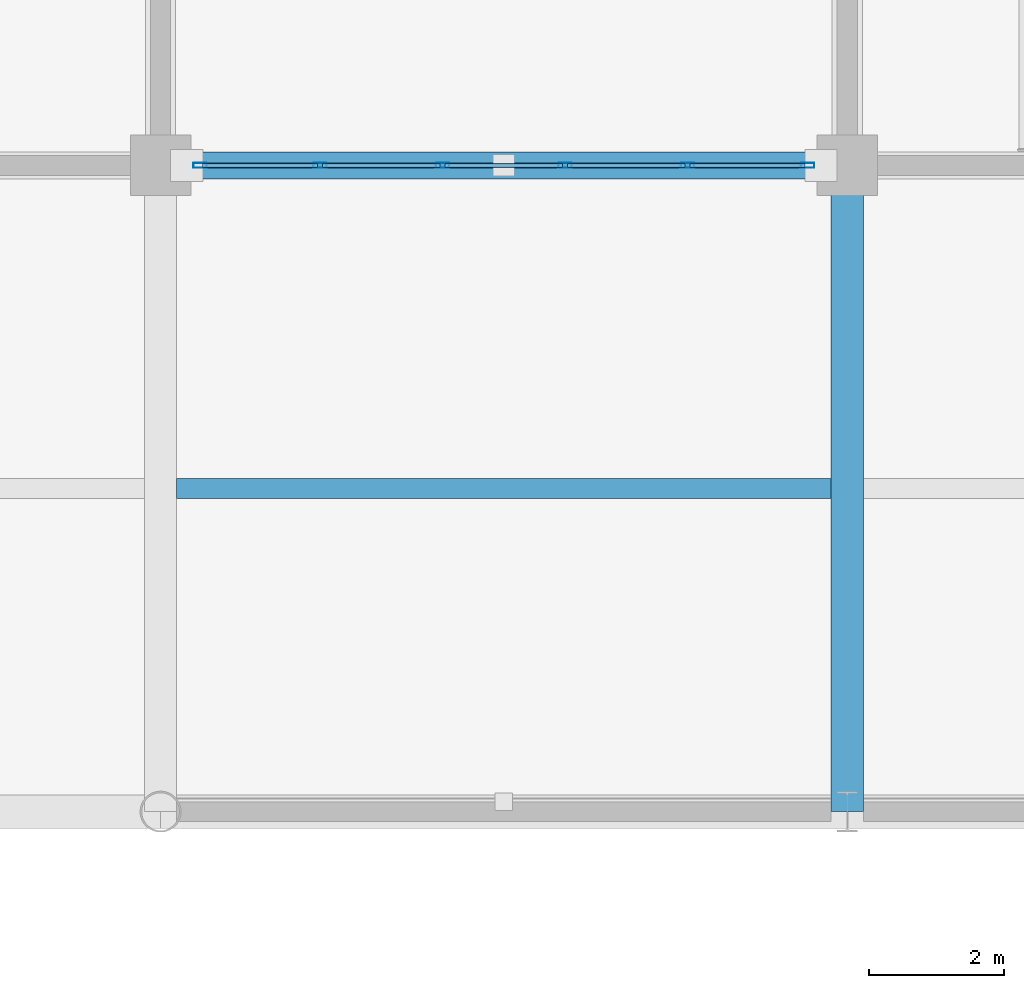
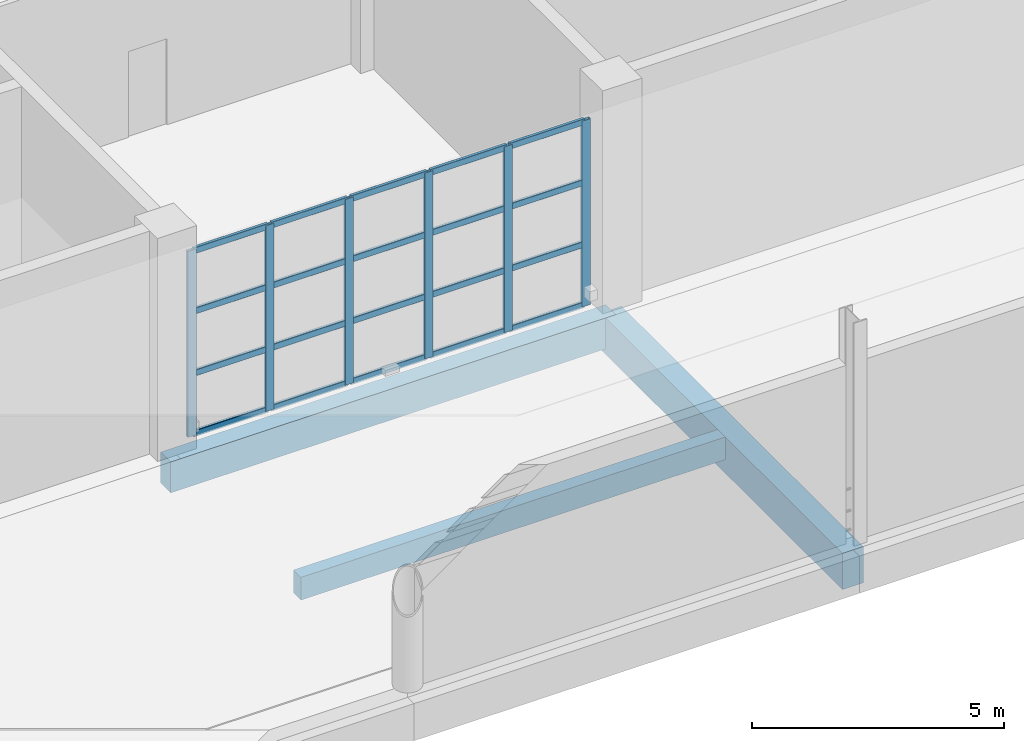
# One storey, part 34 of 175: 26 members, 3 beams, 1 element without a shape of its own.
"""IFC4 building model written with IfcOpenShell, lengths in metres."""

from ifc_helpers import new_model, si_unit, direction, frame, origin, origin_2d, place, context, subcontext, project, spatial, rectangle, hollow_rectangle, extrude, material, material_profile, profile_set, type_object, element, aggregate, save


model = new_model("IFC4")

# Units and contexts
model_context = context("Model", 3, precision=1e-05, world=origin(), true_north=direction((0.0, 1.0)))
body_context = subcontext(model_context, "Body", "Model", "MODEL_VIEW")
ifc_project = project(units=[si_unit("LENGTHUNIT", "METRE"), si_unit("AREAUNIT", "SQUARE_METRE"), si_unit("VOLUMEUNIT", "CUBIC_METRE"), si_unit("PLANEANGLEUNIT", "RADIAN"), si_unit("MASSUNIT", "GRAM", prefix="KILO")], contexts=[model_context])

# Site, building, storey
site_placement = place(None, origin())
site = spatial("IfcSite", under=ifc_project, at=site_placement, CompositionType="ELEMENT")
building_placement = place(site_placement, origin())
building = spatial("IfcBuilding", under=site, at=building_placement, Name="Brelvane Convention Centre", CompositionType="ELEMENT")
storey_placement = place(building_placement, frame((0.0, 0.0, 5.39990234375)))
storey = spatial("IfcBuildingStorey", under=building, at=storey_placement, Name="L01", CompositionType="ELEMENT", Elevation=5.39990234375)

# Curtain wall, members
ifc_material_1 = material(Name="Anodised Aluminium Alloy 6063-T6", Category="aluminium")
curtain_wall_type = type_object("IfcCurtainWallType", Name="Curtain Wall CW-COURT", PredefinedType="USERDEFINED", material=ifc_material_1)
curtain_wall_placement = place(storey_placement, origin())
curtain_wall = element("IfcCurtainWall", 1, at=curtain_wall_placement, inside=storey, type_object=curtain_wall_type, Name="Curtain Wall CW-COURT L01-V4S-03", ObjectType="UNITISED", PredefinedType="USERDEFINED")
ifc_material_2 = material(Name="Anodised Aluminium Alloy 6063-T6", Category="aluminium")
ifc_material_profile_1 = material_profile(ifc_material_2, hollow_rectangle(XDim=0.074951171875, YDim=0.199951171875, WallThickness=0.0048828125, InnerFilletRadius=0.0048828125, OuterFilletRadius=0.010009765625, at=origin_2d()), Name="ALU-M 200x75x5.0")
ifc_profile_set_1 = profile_set([ifc_material_profile_1], Name="Anodised Aluminium Alloy 6063-T6")
member_type_1 = type_object("IfcMemberType", Name="Curtain Mullion CW-M2", PredefinedType="MULLION", material=ifc_profile_set_1)
member_1_placement = place(storey_placement, frame((20.987548828125, 109.199951171875, 0.0), z_axis=(0.0, 0.0, 1.0), x_axis=(0.0, 1.0, 0.0)))
member_1 = element("IfcMember", 2, at=member_1_placement, type_object=member_type_1, Name="CW-COURT mullion 1", PredefinedType="MULLION", context=body_context, shape_type="SweptSolid", body=[
    extrude(hollow_rectangle(XDim=0.074951171875, YDim=0.199951171875, WallThickness=0.0048828125, InnerFilletRadius=0.0048828125, OuterFilletRadius=0.010009765625, at=origin_2d()), origin(), (0.0, 0.0, 1.0), 4.5),
])
member_2_placement = place(storey_placement, frame((22.77001953125, 109.199951171875, 0.0), z_axis=(0.0, 0.0, 1.0), x_axis=(0.0, 1.0, 0.0)))
member_2 = element("IfcMember", 3, at=member_2_placement, type_object=member_type_1, Name="CW-COURT mullion 2", PredefinedType="MULLION", context=body_context, shape_type="SweptSolid", body=[
    extrude(hollow_rectangle(XDim=0.074951171875, YDim=0.199951171875, WallThickness=0.0048828125, InnerFilletRadius=0.0048828125, OuterFilletRadius=0.010009765625, at=origin_2d()), origin(), (0.0, 0.0, 1.0), 4.5),
])
member_3_placement = place(storey_placement, frame((24.590087890625, 109.199951171875, 0.0), z_axis=(0.0, 0.0, 1.0), x_axis=(0.0, 1.0, 0.0)))
member_3 = element("IfcMember", 4, at=member_3_placement, type_object=member_type_1, Name="CW-COURT mullion 3", PredefinedType="MULLION", context=body_context, shape_type="SweptSolid", body=[
    extrude(hollow_rectangle(XDim=0.074951171875, YDim=0.199951171875, WallThickness=0.0048828125, InnerFilletRadius=0.0048828125, OuterFilletRadius=0.010009765625, at=origin_2d()), origin(), (0.0, 0.0, 1.0), 4.5),
])
member_4_placement = place(storey_placement, frame((26.409912109375, 109.199951171875, 0.0), z_axis=(0.0, 0.0, 1.0), x_axis=(0.0, 1.0, 0.0)))
member_4 = element("IfcMember", 5, at=member_4_placement, type_object=member_type_1, Name="CW-COURT mullion 4", PredefinedType="MULLION", context=body_context, shape_type="SweptSolid", body=[
    extrude(hollow_rectangle(XDim=0.074951171875, YDim=0.199951171875, WallThickness=0.0048828125, InnerFilletRadius=0.0048828125, OuterFilletRadius=0.010009765625, at=origin_2d()), origin(), (0.0, 0.0, 1.0), 4.5),
])
member_5_placement = place(storey_placement, frame((28.22998046875, 109.199951171875, 0.0), z_axis=(0.0, 0.0, 1.0), x_axis=(0.0, 1.0, 0.0)))
member_5 = element("IfcMember", 6, at=member_5_placement, type_object=member_type_1, Name="CW-COURT mullion 5", PredefinedType="MULLION", context=body_context, shape_type="SweptSolid", body=[
    extrude(hollow_rectangle(XDim=0.074951171875, YDim=0.199951171875, WallThickness=0.0048828125, InnerFilletRadius=0.0048828125, OuterFilletRadius=0.010009765625, at=origin_2d()), origin(), (0.0, 0.0, 1.0), 4.5),
])
member_6_placement = place(storey_placement, frame((30.012451171875, 109.199951171875, 0.0), z_axis=(0.0, 0.0, 1.0), x_axis=(0.0, 1.0, 0.0)))
member_6 = element("IfcMember", 7, at=member_6_placement, type_object=member_type_1, Name="CW-COURT mullion 6", PredefinedType="MULLION", context=body_context, shape_type="SweptSolid", body=[
    extrude(hollow_rectangle(XDim=0.074951171875, YDim=0.199951171875, WallThickness=0.0048828125, InnerFilletRadius=0.0048828125, OuterFilletRadius=0.010009765625, at=origin_2d()), origin(), (0.0, 0.0, 1.0), 4.5),
])
ifc_material_3 = material(Name="Anodised Aluminium Alloy 6063-T6", Category="aluminium")
ifc_material_profile_2 = material_profile(ifc_material_3, hollow_rectangle(XDim=0.070068359375, YDim=0.14990234375, WallThickness=0.00439453125, InnerFilletRadius=0.00439453125, OuterFilletRadius=0.009033203125, at=origin_2d()), Name="ALU-T 150x70x4.5")
ifc_profile_set_2 = profile_set([ifc_material_profile_2], Name="Anodised Aluminium Alloy 6063-T6")
member_type_2 = type_object("IfcMemberType", Name="Curtain Transom CW-T2", PredefinedType="USERDEFINED", material=ifc_profile_set_2)
member_7_placement = place(storey_placement, frame((21.02490234375, 109.199951171875, 0.03515625), z_axis=(1.0, 0.0, 0.0), x_axis=(0.0, 1.0, 0.0)))
member_7 = element("IfcMember", 8, at=member_7_placement, type_object=member_type_2, Name="CW-COURT transom 1.1", ObjectType="TRANSOM", PredefinedType="USERDEFINED", context=body_context, shape_type="SweptSolid", body=[
    extrude(hollow_rectangle(XDim=0.070068359375, YDim=0.14990234375, WallThickness=0.00439453125, InnerFilletRadius=0.00439453125, OuterFilletRadius=0.009033203125, at=origin_2d()), origin(), (0.0, 0.0, 1.0), 1.70751953125),
])
member_8_placement = place(storey_placement, frame((21.02490234375, 109.199951171875, 1.5), z_axis=(1.0, 0.0, 0.0), x_axis=(0.0, 1.0, 0.0)))
member_8 = element("IfcMember", 9, at=member_8_placement, type_object=member_type_2, Name="CW-COURT transom 1.2", ObjectType="TRANSOM", PredefinedType="USERDEFINED", context=body_context, shape_type="SweptSolid", body=[
    extrude(hollow_rectangle(XDim=0.070068359375, YDim=0.14990234375, WallThickness=0.00439453125, InnerFilletRadius=0.00439453125, OuterFilletRadius=0.009033203125, at=origin_2d()), origin(), (0.0, 0.0, 1.0), 1.70751953125),
])
member_9_placement = place(storey_placement, frame((21.02490234375, 109.199951171875, 3.0), z_axis=(1.0, 0.0, 0.0), x_axis=(0.0, 1.0, 0.0)))
member_9 = element("IfcMember", 10, at=member_9_placement, type_object=member_type_2, Name="CW-COURT transom 1.3", ObjectType="TRANSOM", PredefinedType="USERDEFINED", context=body_context, shape_type="SweptSolid", body=[
    extrude(hollow_rectangle(XDim=0.070068359375, YDim=0.14990234375, WallThickness=0.00439453125, InnerFilletRadius=0.00439453125, OuterFilletRadius=0.009033203125, at=origin_2d()), origin(), (0.0, 0.0, 1.0), 1.70751953125),
])
member_10_placement = place(storey_placement, frame((21.02490234375, 109.199951171875, 4.465087890625), z_axis=(1.0, 0.0, 0.0), x_axis=(0.0, 1.0, 0.0)))
member_10 = element("IfcMember", 11, at=member_10_placement, type_object=member_type_2, Name="CW-COURT transom 1.4", ObjectType="TRANSOM", PredefinedType="USERDEFINED", context=body_context, shape_type="SweptSolid", body=[
    extrude(hollow_rectangle(XDim=0.070068359375, YDim=0.14990234375, WallThickness=0.00439453125, InnerFilletRadius=0.00439453125, OuterFilletRadius=0.009033203125, at=origin_2d()), origin(), (0.0, 0.0, 1.0), 1.70751953125),
])
member_11_placement = place(storey_placement, frame((22.8076171875, 109.199951171875, 0.03515625), z_axis=(1.0, 0.0, 0.0), x_axis=(0.0, 1.0, 0.0)))
member_11 = element("IfcMember", 12, at=member_11_placement, type_object=member_type_2, Name="CW-COURT transom 2.1", ObjectType="TRANSOM", PredefinedType="USERDEFINED", context=body_context, shape_type="SweptSolid", body=[
    extrude(hollow_rectangle(XDim=0.070068359375, YDim=0.14990234375, WallThickness=0.00439453125, InnerFilletRadius=0.00439453125, OuterFilletRadius=0.009033203125, at=origin_2d()), origin(), (0.0, 0.0, 1.0), 1.744873046875),
])
member_12_placement = place(storey_placement, frame((22.8076171875, 109.199951171875, 1.5), z_axis=(1.0, 0.0, 0.0), x_axis=(0.0, 1.0, 0.0)))
member_12 = element("IfcMember", 13, at=member_12_placement, type_object=member_type_2, Name="CW-COURT transom 2.2", ObjectType="TRANSOM", PredefinedType="USERDEFINED", context=body_context, shape_type="SweptSolid", body=[
    extrude(hollow_rectangle(XDim=0.070068359375, YDim=0.14990234375, WallThickness=0.00439453125, InnerFilletRadius=0.00439453125, OuterFilletRadius=0.009033203125, at=origin_2d()), origin(), (0.0, 0.0, 1.0), 1.744873046875),
])
member_13_placement = place(storey_placement, frame((22.8076171875, 109.199951171875, 3.0), z_axis=(1.0, 0.0, 0.0), x_axis=(0.0, 1.0, 0.0)))
member_13 = element("IfcMember", 14, at=member_13_placement, type_object=member_type_2, Name="CW-COURT transom 2.3", ObjectType="TRANSOM", PredefinedType="USERDEFINED", context=body_context, shape_type="SweptSolid", body=[
    extrude(hollow_rectangle(XDim=0.070068359375, YDim=0.14990234375, WallThickness=0.00439453125, InnerFilletRadius=0.00439453125, OuterFilletRadius=0.009033203125, at=origin_2d()), origin(), (0.0, 0.0, 1.0), 1.744873046875),
])
member_14_placement = place(storey_placement, frame((22.8076171875, 109.199951171875, 4.465087890625), z_axis=(1.0, 0.0, 0.0), x_axis=(0.0, 1.0, 0.0)))
member_14 = element("IfcMember", 15, at=member_14_placement, type_object=member_type_2, Name="CW-COURT transom 2.4", ObjectType="TRANSOM", PredefinedType="USERDEFINED", context=body_context, shape_type="SweptSolid", body=[
    extrude(hollow_rectangle(XDim=0.070068359375, YDim=0.14990234375, WallThickness=0.00439453125, InnerFilletRadius=0.00439453125, OuterFilletRadius=0.009033203125, at=origin_2d()), origin(), (0.0, 0.0, 1.0), 1.744873046875),
])
member_15_placement = place(storey_placement, frame((24.62744140625, 109.199951171875, 0.03515625), z_axis=(1.0, 0.0, 0.0), x_axis=(0.0, 1.0, 0.0)))
member_15 = element("IfcMember", 16, at=member_15_placement, type_object=member_type_2, Name="CW-COURT transom 3.1", ObjectType="TRANSOM", PredefinedType="USERDEFINED", context=body_context, shape_type="SweptSolid", body=[
    extrude(hollow_rectangle(XDim=0.070068359375, YDim=0.14990234375, WallThickness=0.00439453125, InnerFilletRadius=0.00439453125, OuterFilletRadius=0.009033203125, at=origin_2d()), origin(), (0.0, 0.0, 1.0), 1.7451171875),
])
member_16_placement = place(storey_placement, frame((24.62744140625, 109.199951171875, 1.5), z_axis=(1.0, 0.0, 0.0), x_axis=(0.0, 1.0, 0.0)))
member_16 = element("IfcMember", 17, at=member_16_placement, type_object=member_type_2, Name="CW-COURT transom 3.2", ObjectType="TRANSOM", PredefinedType="USERDEFINED", context=body_context, shape_type="SweptSolid", body=[
    extrude(hollow_rectangle(XDim=0.070068359375, YDim=0.14990234375, WallThickness=0.00439453125, InnerFilletRadius=0.00439453125, OuterFilletRadius=0.009033203125, at=origin_2d()), origin(), (0.0, 0.0, 1.0), 1.7451171875),
])
member_17_placement = place(storey_placement, frame((24.62744140625, 109.199951171875, 3.0), z_axis=(1.0, 0.0, 0.0), x_axis=(0.0, 1.0, 0.0)))
member_17 = element("IfcMember", 18, at=member_17_placement, type_object=member_type_2, Name="CW-COURT transom 3.3", ObjectType="TRANSOM", PredefinedType="USERDEFINED", context=body_context, shape_type="SweptSolid", body=[
    extrude(hollow_rectangle(XDim=0.070068359375, YDim=0.14990234375, WallThickness=0.00439453125, InnerFilletRadius=0.00439453125, OuterFilletRadius=0.009033203125, at=origin_2d()), origin(), (0.0, 0.0, 1.0), 1.7451171875),
])
member_18_placement = place(storey_placement, frame((24.62744140625, 109.199951171875, 4.465087890625), z_axis=(1.0, 0.0, 0.0), x_axis=(0.0, 1.0, 0.0)))
member_18 = element("IfcMember", 19, at=member_18_placement, type_object=member_type_2, Name="CW-COURT transom 3.4", ObjectType="TRANSOM", PredefinedType="USERDEFINED", context=body_context, shape_type="SweptSolid", body=[
    extrude(hollow_rectangle(XDim=0.070068359375, YDim=0.14990234375, WallThickness=0.00439453125, InnerFilletRadius=0.00439453125, OuterFilletRadius=0.009033203125, at=origin_2d()), origin(), (0.0, 0.0, 1.0), 1.7451171875),
])
member_19_placement = place(storey_placement, frame((26.447509765625, 109.199951171875, 0.03515625), z_axis=(1.0, 0.0, 0.0), x_axis=(0.0, 1.0, 0.0)))
member_19 = element("IfcMember", 20, at=member_19_placement, type_object=member_type_2, Name="CW-COURT transom 4.1", ObjectType="TRANSOM", PredefinedType="USERDEFINED", context=body_context, shape_type="SweptSolid", body=[
    extrude(hollow_rectangle(XDim=0.070068359375, YDim=0.14990234375, WallThickness=0.00439453125, InnerFilletRadius=0.00439453125, OuterFilletRadius=0.009033203125, at=origin_2d()), origin(), (0.0, 0.0, 1.0), 1.744873046875),
])
member_20_placement = place(storey_placement, frame((26.447509765625, 109.199951171875, 1.5), z_axis=(1.0, 0.0, 0.0), x_axis=(0.0, 1.0, 0.0)))
member_20 = element("IfcMember", 21, at=member_20_placement, type_object=member_type_2, Name="CW-COURT transom 4.2", ObjectType="TRANSOM", PredefinedType="USERDEFINED", context=body_context, shape_type="SweptSolid", body=[
    extrude(hollow_rectangle(XDim=0.070068359375, YDim=0.14990234375, WallThickness=0.00439453125, InnerFilletRadius=0.00439453125, OuterFilletRadius=0.009033203125, at=origin_2d()), origin(), (0.0, 0.0, 1.0), 1.744873046875),
])
member_21_placement = place(storey_placement, frame((26.447509765625, 109.199951171875, 3.0), z_axis=(1.0, 0.0, 0.0), x_axis=(0.0, 1.0, 0.0)))
member_21 = element("IfcMember", 22, at=member_21_placement, type_object=member_type_2, Name="CW-COURT transom 4.3", ObjectType="TRANSOM", PredefinedType="USERDEFINED", context=body_context, shape_type="SweptSolid", body=[
    extrude(hollow_rectangle(XDim=0.070068359375, YDim=0.14990234375, WallThickness=0.00439453125, InnerFilletRadius=0.00439453125, OuterFilletRadius=0.009033203125, at=origin_2d()), origin(), (0.0, 0.0, 1.0), 1.744873046875),
])
member_22_placement = place(storey_placement, frame((26.447509765625, 109.199951171875, 4.465087890625), z_axis=(1.0, 0.0, 0.0), x_axis=(0.0, 1.0, 0.0)))
member_22 = element("IfcMember", 23, at=member_22_placement, type_object=member_type_2, Name="CW-COURT transom 4.4", ObjectType="TRANSOM", PredefinedType="USERDEFINED", context=body_context, shape_type="SweptSolid", body=[
    extrude(hollow_rectangle(XDim=0.070068359375, YDim=0.14990234375, WallThickness=0.00439453125, InnerFilletRadius=0.00439453125, OuterFilletRadius=0.009033203125, at=origin_2d()), origin(), (0.0, 0.0, 1.0), 1.744873046875),
])
member_23_placement = place(storey_placement, frame((28.267578125, 109.199951171875, 0.03515625), z_axis=(1.0, 0.0, 0.0), x_axis=(0.0, 1.0, 0.0)))
member_23 = element("IfcMember", 24, at=member_23_placement, type_object=member_type_2, Name="CW-COURT transom 5.1", ObjectType="TRANSOM", PredefinedType="USERDEFINED", context=body_context, shape_type="SweptSolid", body=[
    extrude(hollow_rectangle(XDim=0.070068359375, YDim=0.14990234375, WallThickness=0.00439453125, InnerFilletRadius=0.00439453125, OuterFilletRadius=0.009033203125, at=origin_2d()), origin(), (0.0, 0.0, 1.0), 1.70751953125),
])
member_24_placement = place(storey_placement, frame((28.267578125, 109.199951171875, 1.5), z_axis=(1.0, 0.0, 0.0), x_axis=(0.0, 1.0, 0.0)))
member_24 = element("IfcMember", 25, at=member_24_placement, type_object=member_type_2, Name="CW-COURT transom 5.2", ObjectType="TRANSOM", PredefinedType="USERDEFINED", context=body_context, shape_type="SweptSolid", body=[
    extrude(hollow_rectangle(XDim=0.070068359375, YDim=0.14990234375, WallThickness=0.00439453125, InnerFilletRadius=0.00439453125, OuterFilletRadius=0.009033203125, at=origin_2d()), origin(), (0.0, 0.0, 1.0), 1.70751953125),
])
member_25_placement = place(storey_placement, frame((28.267578125, 109.199951171875, 3.0), z_axis=(1.0, 0.0, 0.0), x_axis=(0.0, 1.0, 0.0)))
member_25 = element("IfcMember", 26, at=member_25_placement, type_object=member_type_2, Name="CW-COURT transom 5.3", ObjectType="TRANSOM", PredefinedType="USERDEFINED", context=body_context, shape_type="SweptSolid", body=[
    extrude(hollow_rectangle(XDim=0.070068359375, YDim=0.14990234375, WallThickness=0.00439453125, InnerFilletRadius=0.00439453125, OuterFilletRadius=0.009033203125, at=origin_2d()), origin(), (0.0, 0.0, 1.0), 1.70751953125),
])
member_26_placement = place(storey_placement, frame((28.267578125, 109.199951171875, 4.465087890625), z_axis=(1.0, 0.0, 0.0), x_axis=(0.0, 1.0, 0.0)))
member_26 = element("IfcMember", 27, at=member_26_placement, type_object=member_type_2, Name="CW-COURT transom 5.4", ObjectType="TRANSOM", PredefinedType="USERDEFINED", context=body_context, shape_type="SweptSolid", body=[
    extrude(hollow_rectangle(XDim=0.070068359375, YDim=0.14990234375, WallThickness=0.00439453125, InnerFilletRadius=0.00439453125, OuterFilletRadius=0.009033203125, at=origin_2d()), origin(), (0.0, 0.0, 1.0), 1.70751953125),
])
aggregate(curtain_wall, [member_1, member_2, member_3, member_4, member_5, member_6, member_7, member_8, member_9, member_10, member_11, member_12, member_13, member_14, member_15, member_16, member_17, member_18, member_19, member_20, member_21, member_22, member_23, member_24, member_25, member_26])

# Beams
ifc_material_4 = material(Name="Concrete M40", Category="concrete")
ifc_material_profile_3 = material_profile(ifc_material_4, rectangle(XDim=0.47998046875, YDim=0.8798828125, at=origin_2d()), Name="RC 480x880")
ifc_profile_set_3 = profile_set([ifc_material_profile_3], Name="Concrete M40")
beam_type_1 = type_object("IfcBeamType", Name="RC Beam B-RC10 (RC 480x880)", PredefinedType="BEAM", material=ifc_profile_set_3)
beam_1_placement = place(storey_placement, frame((30.60009765625, 99.60009765625, -0.760009765625), z_axis=(0.0, 1.0, 0.0), x_axis=(-1.0, 0.0, 0.0)))
element("IfcBeam", 28, at=beam_1_placement, inside=storey, type_object=beam_type_1, Name="L01 Girder 4/K-L", PredefinedType="BEAM", context=body_context, shape_type="SweptSolid", body=[
    extrude(rectangle(XDim=0.47998046875, YDim=0.8798828125, at=origin_2d()), origin(), (0.0, 0.0, 1.0), 9.599853515625),
])
ifc_material_5 = material(Name="Concrete M40", Category="concrete")
ifc_material_profile_4 = material_profile(ifc_material_5, rectangle(XDim=0.300048828125, YDim=0.550048828125, at=origin_2d()), Name="RC 300x550")
ifc_profile_set_4 = profile_set([ifc_material_profile_4], Name="Concrete M40")
beam_type_2 = type_object("IfcBeamType", Name="RC Joist J-RC1 (RC 300x550)", PredefinedType="JOIST", material=ifc_profile_set_4)
beam_2_placement = place(storey_placement, frame((20.639892578125, 104.39990234375, -0.594970703125), z_axis=(1.0, 0.0, 0.0), x_axis=(0.0, 1.0, 0.0)))
element("IfcBeam", 29, at=beam_2_placement, inside=storey, type_object=beam_type_2, Name="L01 Secondary Joist 3-4/KL", PredefinedType="JOIST", context=body_context, shape_type="SweptSolid", body=[
    extrude(rectangle(XDim=0.300048828125, YDim=0.550048828125, at=origin_2d()), origin(), (0.0, 0.0, 1.0), 9.72021484375),
])
ifc_material_6 = material(Name="Concrete M40", Category="concrete")
ifc_material_profile_5 = material_profile(ifc_material_6, rectangle(XDim=0.39990234375, YDim=0.75, at=origin_2d()), Name="RC 400x750")
ifc_profile_set_5 = profile_set([ifc_material_profile_5], Name="Concrete M40")
beam_type_3 = type_object("IfcBeamType", Name="RC Spandrel SP-RC1 (RC 400x750)", PredefinedType="SPANDREL", material=ifc_profile_set_5)
beam_3_placement = place(storey_placement, frame((20.39990234375, 109.199951171875, -0.69482421875), z_axis=(1.0, 0.0, 0.0), x_axis=(0.0, 1.0, 0.0)))
element("IfcBeam", 30, at=beam_3_placement, inside=storey, type_object=beam_type_3, Name="L01 Beam 3-4/L", PredefinedType="SPANDREL", context=body_context, shape_type="SweptSolid", body=[
    extrude(rectangle(XDim=0.39990234375, YDim=0.75, at=origin_2d()), origin(), (0.0, 0.0, 1.0), 10.2001953125),
])

save(model, "model.ifc")
